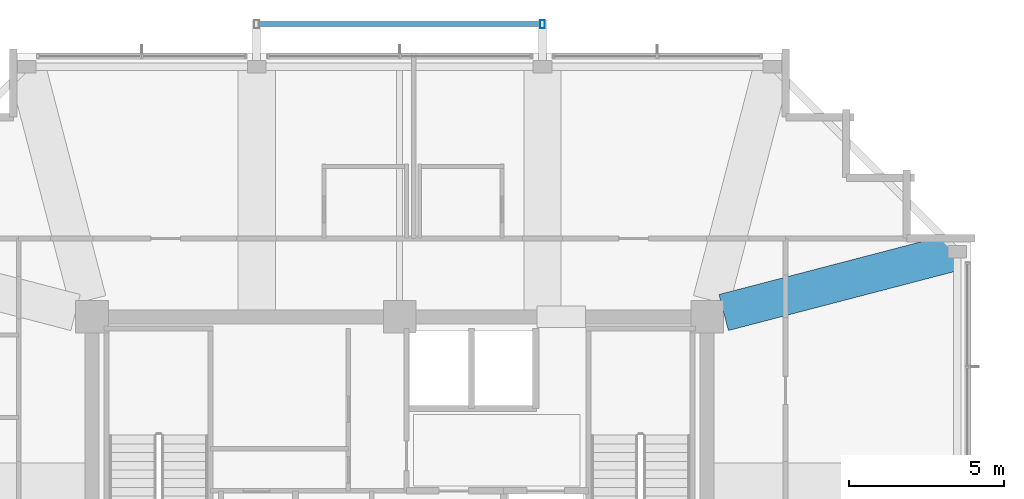
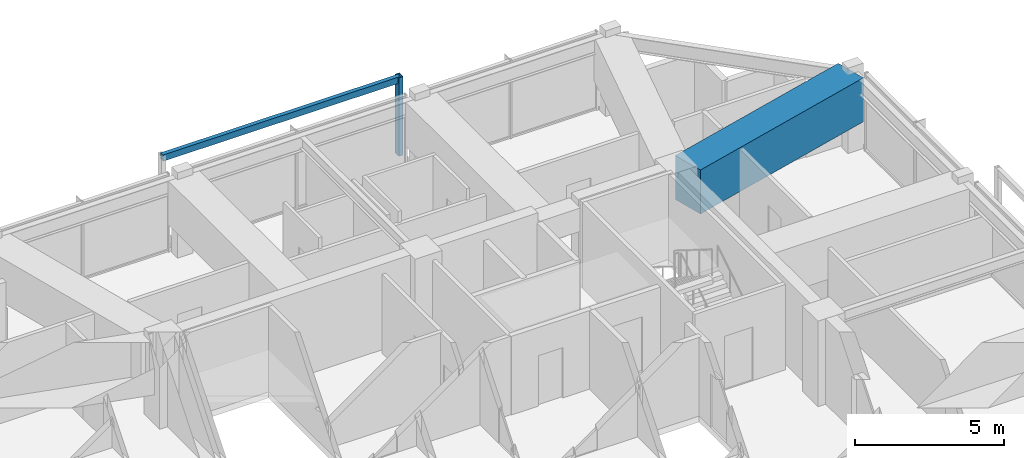
# One storey, part 18 of 30: 2 members, 1 beam.
"""IFC4 building model written with IfcOpenShell, lengths in metres."""

from ifc_helpers import new_model, si_unit, direction, frame, origin, origin_2d, place, context, subcontext, project, spatial, rectangle, hollow_rectangle, extrude, material, material_profile, profile_set, type_object, element, save


model = new_model("IFC4")

# Units and contexts
model_context = context("Model", 3, precision=1e-05, world=origin(), true_north=direction((0.0, 1.0)))
body_context = subcontext(model_context, "Body", "Model", "MODEL_VIEW")
ifc_project = project(units=[si_unit("LENGTHUNIT", "METRE"), si_unit("AREAUNIT", "SQUARE_METRE"), si_unit("VOLUMEUNIT", "CUBIC_METRE"), si_unit("PLANEANGLEUNIT", "RADIAN"), si_unit("MASSUNIT", "GRAM", prefix="KILO")], contexts=[model_context])

# Site, building, storey
site_placement = place(None, origin())
site = spatial("IfcSite", under=ifc_project, at=site_placement, CompositionType="ELEMENT")
building_placement = place(site_placement, origin())
building = spatial("IfcBuilding", under=site, at=building_placement, Name="Kolvaren Belvedere", CompositionType="ELEMENT")
storey_placement = place(building_placement, frame((0.0, 0.0, 254.89990234375)))
storey = spatial("IfcBuildingStorey", under=building, at=storey_placement, Name="L74", CompositionType="ELEMENT", Elevation=254.89990234375)

# Beam
ifc_material_1 = material(Name="Concrete C50/60", Category="concrete")
ifc_material_profile_1 = material_profile(ifc_material_1, rectangle(XDim=1.199951171875, YDim=1.800048828125, at=origin_2d()), Name="RC 1200X1800")
ifc_profile_set_1 = profile_set([ifc_material_profile_1], Name="Concrete C50/60")
beam_type = type_object("IfcBeamType", Name="BM-TG-1800", PredefinedType="BEAM", material=ifc_profile_set_1)
beam_placement = place(storey_placement, frame((10.43212890625, 10.038818359375, 2.320068359375), z_axis=(0.967619295388, 0.252414142221, 0.0), x_axis=(-0.252414142221, 0.967619295388, 0.0)))
element("IfcBeam", 1, at=beam_placement, inside=storey, type_object=beam_type, Name="L74 Corner Core-to-Perimeter Girder CC3-E4", PredefinedType="BEAM", context=body_context, shape_type="SweptSolid", body=[
    extrude(rectangle(XDim=1.199951171875, YDim=1.800048828125, at=origin_2d()), origin(), (0.0, 0.0, 1.0), 7.689453125),
])

# Members
ifc_material_2 = material(Name="Anodised pale-metal aluminium AA 6063-T6", Category="aluminium")
ifc_material_profile_2 = material_profile(ifc_material_2, hollow_rectangle(XDim=0.159912109375, YDim=0.260009765625, WallThickness=0.006591796875, at=origin_2d()), Name="ALU-PF-260X160")
ifc_profile_set_2 = profile_set([ifc_material_profile_2], Name="Anodised pale-metal aluminium AA 6063-T6")
member_type = type_object("IfcMemberType", Name="PF-FRAME-260", PredefinedType="USERDEFINED", material=ifc_profile_set_2)
member_1_placement = place(storey_placement, frame((4.60009765625, 19.320068359375, 0.0), z_axis=(0.0, 0.0, 1.0), x_axis=(1.0, 0.0, 0.0)))
element("IfcMember", 2, at=member_1_placement, inside=storey, type_object=member_type, Name="L74 Outboard Picture-Frame Vertical N2", ObjectType="PICTURE FRAME FIN", PredefinedType="USERDEFINED", context=body_context, shape_type="SweptSolid", body=[
    extrude(hollow_rectangle(XDim=0.159912109375, YDim=0.260009765625, WallThickness=0.006591796875, at=origin_2d()), origin(), (0.0, 0.0, 1.0), 3.22021484375),
])
member_2_placement = place(storey_placement, frame((-4.60009765625, 19.320068359375, 3.090087890625), z_axis=(1.0, 0.0, 0.0), x_axis=(0.0, 1.0, 0.0)))
element("IfcMember", 3, at=member_2_placement, inside=storey, type_object=member_type, Name="L74 Outboard Picture-Frame Head N", ObjectType="PICTURE FRAME FIN", PredefinedType="USERDEFINED", context=body_context, shape_type="SweptSolid", body=[
    extrude(hollow_rectangle(XDim=0.159912109375, YDim=0.260009765625, WallThickness=0.006591796875, at=origin_2d()), origin(), (0.0, 0.0, 1.0), 9.2001953125),
])

save(model, "model.ifc")
